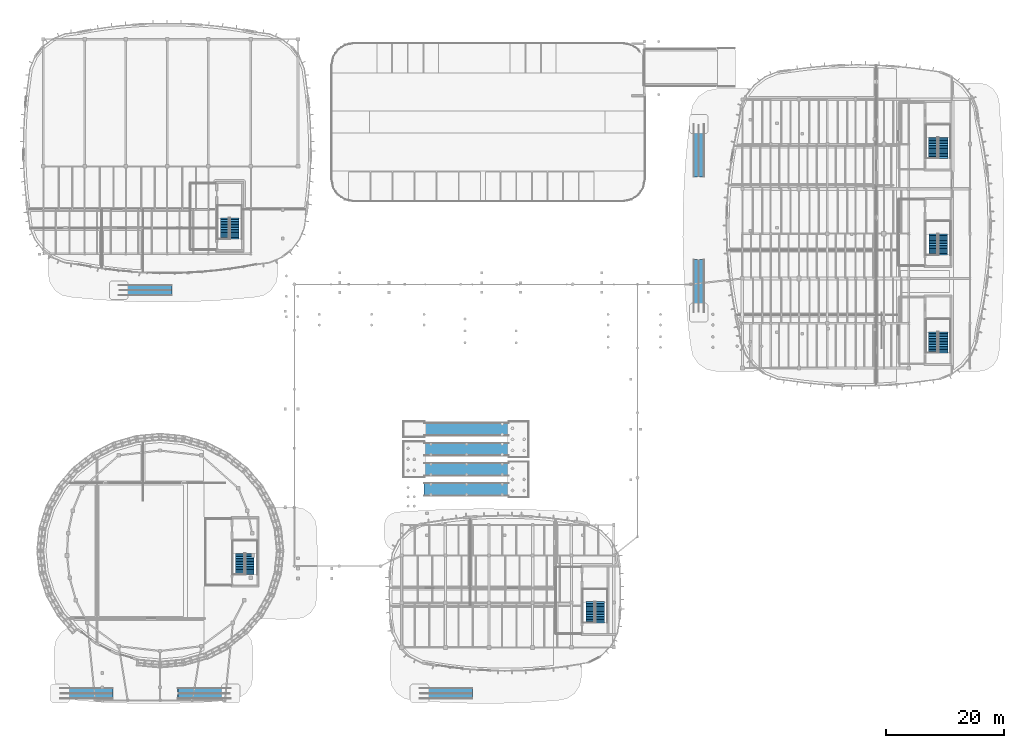
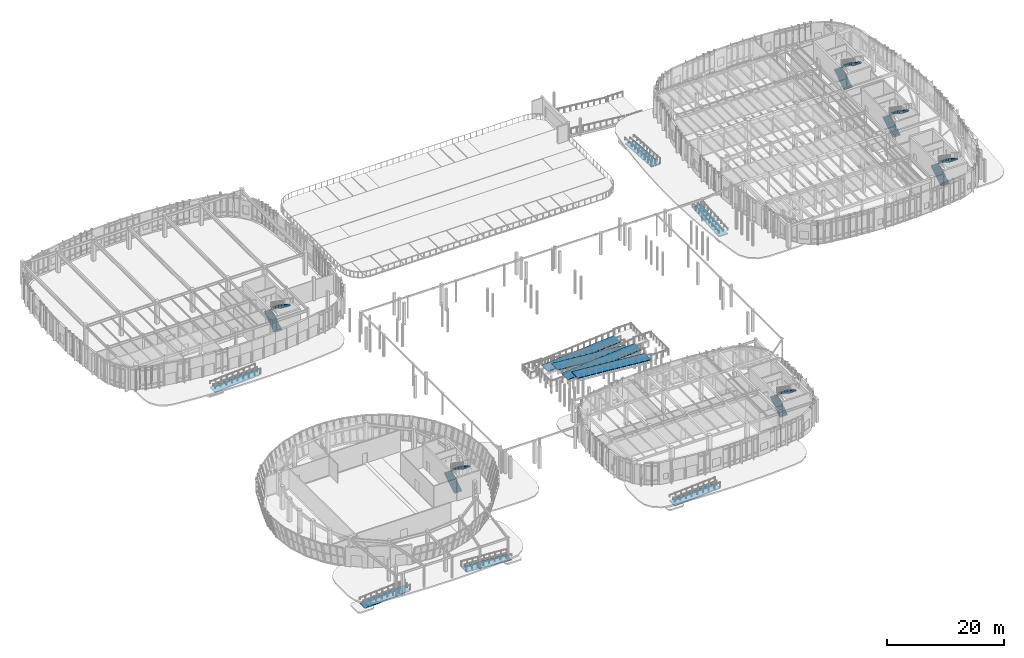
# One storey, part 96 of 120: 12 stair flights, 10 ramp flights, 16 elements without a shape of their own.
"""IFC4 building model written with IfcOpenShell, lengths in metres."""

import ifcopenshell
import ifcopenshell.guid

model = None  # the IFC model being written
_history = None  # IfcOwnerHistory: only IFC2X3 demands one
_inside = {}  # id of a spatial element -> (the spatial element, [elements in it])
_under = {}  # id of a project, library or spatial element -> (it, [spatial elements below it])
_declared = {}  # id of a project -> (the project, [libraries it declares])
_typed = {}  # id of a type object -> (the type object, [elements of that type])
_made_of = {}  # id of a material, layer set ... -> (it, [elements and type objects made of it])


def new_model(schema):
    """Start an empty IFC model of exactly this schema.

    Asked for "IFC4X3", IfcOpenShell would pick the latest addendum, in which some entities
    have other attributes; the version numbers below select the first issue.
    IFC2X3 requires an IfcOwnerHistory on every rooted entity: one is made here for all.
    """
    global model, _history
    if schema == "IFC4X3":
        model = ifcopenshell.file(schema_version=(4, 3, 0, 0))
    else:
        model = ifcopenshell.file(schema=schema)
    _inside.clear()
    _under.clear()
    _declared.clear()
    _typed.clear()
    _made_of.clear()
    _history = None
    if model.schema == "IFC2X3":
        org = make("IfcOrganization", Name="unknown")
        user = make(
            "IfcPersonAndOrganization",
            ThePerson=make("IfcPerson", FamilyName="unknown"),
            TheOrganization=org,
        )
        app = make(
            "IfcApplication",
            ApplicationDeveloper=org,
            Version="unknown",
            ApplicationFullName="unknown",
            ApplicationIdentifier="unknown",
        )
        _history = make(
            "IfcOwnerHistory",
            OwningUser=user,
            OwningApplication=app,
            ChangeAction="ADDED",
            CreationDate=0,
        )
    return model


def make(cls, **values):
    """One entity of the class cls with the attributes given. An attribute that is None is left unset."""
    return model.create_entity(
        cls, **{name: value for name, value in values.items() if value is not None}
    )


def rooted(cls, **values):
    """An entity with a GlobalId (a new one), such as an element, a storey or a relation."""
    return make(cls, GlobalId=ifcopenshell.guid.new(), OwnerHistory=_history, **values)


def si_unit(unit_type, name, prefix=None):
    """IfcSIUnit, for example si_unit("LENGTHUNIT", "METRE", prefix="MILLI")."""
    return make("IfcSIUnit", UnitType=unit_type, Prefix=prefix, Name=name)


def assignment(units):
    """IfcUnitAssignment: the units of a project."""
    return None if units is None else make("IfcUnitAssignment", Units=units)


def point(xyz):
    """IfcCartesianPoint."""
    return None if xyz is None else make("IfcCartesianPoint", Coordinates=xyz)


def direction(xyz):
    """IfcDirection."""
    return None if xyz is None else make("IfcDirection", DirectionRatios=xyz)


def frame(location, z_axis=None, x_axis=None):
    """IfcAxis2Placement3D, a coordinate frame: its origin and axes. An axis left out is left unset."""
    return make(
        "IfcAxis2Placement3D",
        Location=point(location),
        Axis=direction(z_axis),
        RefDirection=direction(x_axis),
    )


def origin():
    """The frame at (0, 0, 0) with its axes left unset."""
    return frame((0.0, 0.0, 0.0))


def place(relative_to, where):
    """IfcLocalPlacement: puts the frame where relative to a parent placement (None: the world)."""
    return make(
        "IfcLocalPlacement", PlacementRelTo=relative_to, RelativePlacement=where
    )


def context(
    kind, dimensions, precision=None, world=None, true_north=None, identifier=None
):
    """IfcGeometricRepresentationContext, for example the 3D "Model" context."""
    return make(
        "IfcGeometricRepresentationContext",
        ContextIdentifier=identifier,
        ContextType=kind,
        CoordinateSpaceDimension=dimensions,
        Precision=precision,
        WorldCoordinateSystem=world,
        TrueNorth=true_north,
    )


def subcontext(parent, identifier, kind, view, scale=None):
    """IfcGeometricRepresentationSubContext, for example "Body" below "Model"."""
    return make(
        "IfcGeometricRepresentationSubContext",
        ContextIdentifier=identifier,
        ContextType=kind,
        ParentContext=parent,
        TargetScale=scale,
        TargetView=view,
    )


def project(units=None, contexts=None):
    """IfcProject with its units and contexts."""
    return rooted(
        "IfcProject",
        Name="project",
        RepresentationContexts=contexts,
        UnitsInContext=assignment(units),
    )


def spatial(cls, under=None, at=None, **own):
    """A site, building, storey or space (cls), placed at a placement, below another one or the project."""
    s = rooted(cls, ObjectPlacement=at, **own)
    if under is not None:
        _under.setdefault(under.id(), (under, []))[1].append(s)
    return s


def polyline(points):
    """IfcPolyline through the points."""
    return make("IfcPolyline", Points=[point(p) for p in points])


def outline(outer, holes=None, kind="AREA"):
    """IfcArbitraryClosedProfileDef: a profile drawn as a closed curve; with holes, ...WithVoids."""
    if holes is None:
        return make("IfcArbitraryClosedProfileDef", ProfileType=kind, OuterCurve=outer)
    return make(
        "IfcArbitraryProfileDefWithVoids",
        ProfileType=kind,
        OuterCurve=outer,
        InnerCurves=holes,
    )


def extrude(swept, where, along, depth):
    """IfcExtrudedAreaSolid: the profile swept, set in the frame where, extruded along a direction by depth."""
    return make(
        "IfcExtrudedAreaSolid",
        SweptArea=swept,
        Position=where,
        ExtrudedDirection=direction(along),
        Depth=depth,
    )


def shape(context_of_items, identifier, shape_type, items):
    """IfcShapeRepresentation: the items that make up one representation, for example the "Body"."""
    return make(
        "IfcShapeRepresentation",
        ContextOfItems=context_of_items,
        RepresentationIdentifier=identifier,
        RepresentationType=shape_type,
        Items=items,
    )


def material(Name=None, Category=None):
    """IfcMaterial."""
    return make("IfcMaterial", Name=Name, Category=Category)


def layer(
    of_material, thickness, ventilated=None, Name=None, Category=None, Priority=None
):
    """IfcMaterialLayer: one layer of a wall or slab, of a material (None: an air gap)."""
    return make(
        "IfcMaterialLayer",
        Material=of_material,
        LayerThickness=thickness,
        IsVentilated=ventilated,
        Name=Name,
        Category=Category,
        Priority=Priority,
    )


def layer_set(layers, Name=None):
    """IfcMaterialLayerSet."""
    return make("IfcMaterialLayerSet", MaterialLayers=layers, LayerSetName=Name)


def made_of(thing, what):
    """Note that an element or type object is made of a material, layer set ...; save() writes the relation."""
    if what is not None:
        _made_of.setdefault(what.id(), (what, []))[1].append(thing)
    return thing


def type_object(cls, material=None, **own):
    """A type object (cls), such as IfcWallType, which elements share."""
    return made_of(rooted(cls, **own), material)


def element(
    cls,
    number,
    at=None,
    inside=None,
    cuts=None,
    type_object=None,
    material=None,
    context=None,
    identifier="Body",
    shape_type=None,
    held_by="IfcProductDefinitionShape",
    body=None,
    shapes=None,
    **own,
):
    """One element of the class cls, such as IfcWall. Its Tag is "e" and its number.

    at: its placement. inside: the storey or other place that contains it. cuts: it is an
    opening in that element (IfcRelVoidsElement). A single representation is given by context,
    identifier, shape_type and body (its items); several are given by shapes. held_by: the class
    of the entity that holds the representations. save() writes the other relations.
    """
    e = rooted(cls, Tag="e%d" % number, ObjectPlacement=at, **own)
    if body is not None:
        shapes = [shape(context, identifier, shape_type, body)]
    if shapes is not None:
        e.Representation = make(held_by, Representations=shapes)
    if inside is not None:
        _inside.setdefault(inside.id(), (inside, []))[1].append(e)
    if cuts is not None:
        rooted(
            "IfcRelVoidsElement", RelatingBuildingElement=cuts, RelatedOpeningElement=e
        )
    if type_object is not None:
        _typed.setdefault(type_object.id(), (type_object, []))[1].append(e)
    return made_of(e, material)


def aggregate(whole, parts):
    """IfcRelAggregates: a whole, such as a stair, and the parts it consists of."""
    return rooted("IfcRelAggregates", RelatingObject=whole, RelatedObjects=parts)


def save(model, path):
    """Write the relations noted so far, then the file.

    IfcRelAggregates (storeys below a building ...), IfcRelContainedInSpatialStructure (elements
    in a storey), IfcRelDefinesByType, IfcRelAssociatesMaterial and IfcRelDeclares: one each for
    every whole, place, type object, material and project.
    """
    for whole, parts in _under.values():
        aggregate(whole, parts)
    for where, things in _inside.values():
        rooted(
            "IfcRelContainedInSpatialStructure",
            RelatedElements=things,
            RelatingStructure=where,
        )
    for kind, things in _typed.values():
        rooted("IfcRelDefinesByType", RelatedObjects=things, RelatingType=kind)
    for what, things in _made_of.values():
        rooted("IfcRelAssociatesMaterial", RelatedObjects=things, RelatingMaterial=what)
    for by, libraries in _declared.values():
        rooted("IfcRelDeclares", RelatingContext=by, RelatedDefinitions=libraries)
    model.write(path)


model = new_model("IFC4")

# Units and contexts
model_context = context("Model", 3, precision=1e-05, world=origin(), true_north=direction((0.0, 1.0)))
body_context = subcontext(model_context, "Body", "Model", "MODEL_VIEW")
ifc_project = project(units=[si_unit("LENGTHUNIT", "METRE"), si_unit("AREAUNIT", "SQUARE_METRE"), si_unit("VOLUMEUNIT", "CUBIC_METRE"), si_unit("PLANEANGLEUNIT", "RADIAN"), si_unit("MASSUNIT", "GRAM", prefix="KILO")], contexts=[model_context])

# Site, building, storey
site_placement = place(None, origin())
site = spatial("IfcSite", under=ifc_project, at=site_placement, CompositionType="ELEMENT")
building_placement = place(site_placement, origin())
building = spatial("IfcBuilding", under=site, at=building_placement, Name="Corveleigh Park Community Centre", CompositionType="ELEMENT")
storey_placement = place(building_placement, origin())
storey = spatial("IfcBuildingStorey", under=building, at=storey_placement, Name="L00", CompositionType="ELEMENT", Elevation=0.0)

# Stair, stair flights
ifc_material = material(Name="Concrete C32/40", Category="concrete")
stair_type_1 = type_object("IfcStairType", Name="STR-HT-1500-480", PredefinedType="USERDEFINED", material=ifc_material)
stair_1_placement = place(storey_placement, origin())
stair_1 = element("IfcStair", 1, at=stair_1_placement, inside=storey, type_object=stair_type_1, Name="Protected escape stair ST3 (L00 to L01)", ObjectType="TWO_RETURN_STAIR", PredefinedType="USERDEFINED")
ifc_layer_1 = layer(ifc_material, 0.175048828125, Name="Concrete C32/40", Category="concrete")
ifc_layer_set_1 = layer_set([ifc_layer_1], Name="Concrete C32/40")
stair_flight_type_1 = type_object("IfcStairFlightType", Name="FLG-RC-1500", PredefinedType="STRAIGHT", material=ifc_layer_set_1)
stair_flight_1_placement = place(storey_placement, frame((41.97998046875, 80.47998046875, 0.0), z_axis=(0.0, 0.0, 1.0), x_axis=(0.0, 1.0, 0.0)))
stair_flight_1 = element("IfcStairFlight", 2, at=stair_flight_1_placement, type_object=stair_flight_type_1, Name="ST3 flight 1", NumberOfRisers=14, NumberOfTreads=13, PredefinedType="STRAIGHT", RiserHeight=0.17143, TreadLength=0.275, context=body_context, shape_type="SweptSolid", body=[
    extrude(outline(polyline([(0.0, 0.0), (0.0, 0.17138671875), (0.27490234375, 0.17138671875), (0.27490234375, 0.3427734375), (0.550048828125, 0.3427734375), (0.550048828125, 0.514404296875), (0.824951171875, 0.514404296875), (0.824951171875, 0.685791015625), (1.10009765625, 0.685791015625), (1.10009765625, 0.857177734375), (1.375, 0.857177734375), (1.375, 1.028564453125), (1.64990234375, 1.028564453125), (1.64990234375, 1.199951171875), (1.925048828125, 1.199951171875), (1.925048828125, 1.371337890625), (2.199951171875, 1.371337890625), (2.199951171875, 1.54296875), (2.47509765625, 1.54296875), (2.47509765625, 1.71435546875), (2.75, 1.71435546875), (2.75, 1.8857421875), (3.02490234375, 1.8857421875), (3.02490234375, 2.05712890625), (3.300048828125, 2.05712890625), (3.300048828125, 2.228515625), (3.574951171875, 2.228515625), (3.574951171875, 2.39990234375), (3.574951171875, 2.022216796875), (0.330810546875, 0.0), (0.0, 0.0)])), frame((0.0, 0.75, 0.0), z_axis=(0.0, -1.0, 0.0), x_axis=(1.0, 0.0, 0.0)), (0.0, 0.0, 1.0), 1.5),
])
stair_flight_2_placement = place(storey_placement, frame((43.6201171875, 84.054931640625, 2.39990234375), z_axis=(0.0, 0.0, 1.0), x_axis=(0.0, -1.0, 0.0)))
stair_flight_2 = element("IfcStairFlight", 3, at=stair_flight_2_placement, type_object=stair_flight_type_1, Name="ST3 flight 2", NumberOfRisers=14, NumberOfTreads=13, PredefinedType="STRAIGHT", RiserHeight=0.17143, TreadLength=0.275, context=body_context, shape_type="SweptSolid", body=[
    extrude(outline(polyline([(0.0, 0.0), (0.0, 0.17138671875), (0.27490234375, 0.17138671875), (0.27490234375, 0.3427734375), (0.550048828125, 0.3427734375), (0.550048828125, 0.514404296875), (0.824951171875, 0.514404296875), (0.824951171875, 0.685791015625), (1.10009765625, 0.685791015625), (1.10009765625, 0.857177734375), (1.375, 0.857177734375), (1.375, 1.028564453125), (1.64990234375, 1.028564453125), (1.64990234375, 1.199951171875), (1.925048828125, 1.199951171875), (1.925048828125, 1.371337890625), (2.199951171875, 1.371337890625), (2.199951171875, 1.54296875), (2.47509765625, 1.54296875), (2.47509765625, 1.71435546875), (2.75, 1.71435546875), (2.75, 1.8857421875), (3.02490234375, 1.8857421875), (3.02490234375, 2.05712890625), (3.300048828125, 2.05712890625), (3.300048828125, 2.228515625), (3.574951171875, 2.228515625), (3.574951171875, 2.39990234375), (3.574951171875, 2.022216796875), (0.330810546875, 0.0), (0.0, 0.0)])), frame((0.0, 0.75, 0.0), z_axis=(0.0, -1.0, 0.0), x_axis=(1.0, 0.0, 0.0)), (0.0, 0.0, 1.0), 1.5),
])
aggregate(stair_1, [stair_flight_1, stair_flight_2])

stair_2_placement = place(storey_placement, origin())
stair_2 = element("IfcStair", 4, at=stair_2_placement, inside=storey, type_object=stair_type_1, Name="Protected escape stair ST4 (L00 to L01)", ObjectType="TWO_RETURN_STAIR", PredefinedType="USERDEFINED")
stair_flight_3_placement = place(storey_placement, frame((103.97998046875, 15.3798828125, 0.0), z_axis=(0.0, 0.0, 1.0), x_axis=(0.0, 1.0, 0.0)))
stair_flight_3 = element("IfcStairFlight", 5, at=stair_flight_3_placement, type_object=stair_flight_type_1, Name="ST4 flight 1", NumberOfRisers=14, NumberOfTreads=13, PredefinedType="STRAIGHT", RiserHeight=0.17143, TreadLength=0.275, context=body_context, shape_type="SweptSolid", body=[
    extrude(outline(polyline([(0.0, 0.0), (0.0, 0.17138671875), (0.27490234375, 0.17138671875), (0.27490234375, 0.3427734375), (0.550048828125, 0.3427734375), (0.550048828125, 0.514404296875), (0.824951171875, 0.514404296875), (0.824951171875, 0.685791015625), (1.10009765625, 0.685791015625), (1.10009765625, 0.857177734375), (1.375, 0.857177734375), (1.375, 1.028564453125), (1.64990234375, 1.028564453125), (1.64990234375, 1.199951171875), (1.925048828125, 1.199951171875), (1.925048828125, 1.371337890625), (2.199951171875, 1.371337890625), (2.199951171875, 1.54296875), (2.47509765625, 1.54296875), (2.47509765625, 1.71435546875), (2.75, 1.71435546875), (2.75, 1.8857421875), (3.02490234375, 1.8857421875), (3.02490234375, 2.05712890625), (3.300048828125, 2.05712890625), (3.300048828125, 2.228515625), (3.574951171875, 2.228515625), (3.574951171875, 2.39990234375), (3.574951171875, 2.022216796875), (0.330810546875, 0.0), (0.0, 0.0)])), frame((0.0, 0.75, 0.0), z_axis=(0.0, -1.0, 0.0), x_axis=(1.0, 0.0, 0.0)), (0.0, 0.0, 1.0), 1.5),
])
stair_flight_4_placement = place(storey_placement, frame((105.6201171875, 18.955078125, 2.39990234375), z_axis=(0.0, 0.0, 1.0), x_axis=(0.0, -1.0, 0.0)))
stair_flight_4 = element("IfcStairFlight", 6, at=stair_flight_4_placement, type_object=stair_flight_type_1, Name="ST4 flight 2", NumberOfRisers=14, NumberOfTreads=13, PredefinedType="STRAIGHT", RiserHeight=0.17143, TreadLength=0.275, context=body_context, shape_type="SweptSolid", body=[
    extrude(outline(polyline([(0.0, 0.0), (0.0, 0.17138671875), (0.27490234375, 0.17138671875), (0.27490234375, 0.3427734375), (0.550048828125, 0.3427734375), (0.550048828125, 0.514404296875), (0.824951171875, 0.514404296875), (0.824951171875, 0.685791015625), (1.10009765625, 0.685791015625), (1.10009765625, 0.857177734375), (1.375, 0.857177734375), (1.375, 1.028564453125), (1.64990234375, 1.028564453125), (1.64990234375, 1.199951171875), (1.925048828125, 1.199951171875), (1.925048828125, 1.371337890625), (2.199951171875, 1.371337890625), (2.199951171875, 1.54296875), (2.47509765625, 1.54296875), (2.47509765625, 1.71435546875), (2.75, 1.71435546875), (2.75, 1.8857421875), (3.02490234375, 1.8857421875), (3.02490234375, 2.05712890625), (3.300048828125, 2.05712890625), (3.300048828125, 2.228515625), (3.574951171875, 2.228515625), (3.574951171875, 2.39990234375), (3.574951171875, 2.022216796875), (0.330810546875, 0.0), (0.0, 0.0)])), frame((0.0, 0.75, 0.0), z_axis=(0.0, -1.0, 0.0), x_axis=(1.0, 0.0, 0.0)), (0.0, 0.0, 1.0), 1.5),
])
aggregate(stair_2, [stair_flight_3, stair_flight_4])

stair_3_placement = place(storey_placement, origin())
stair_3 = element("IfcStair", 7, at=stair_3_placement, inside=storey, type_object=stair_type_1, Name="Protected escape stair ST5 (L00 to L01)", ObjectType="TWO_RETURN_STAIR", PredefinedType="USERDEFINED")
stair_flight_5_placement = place(storey_placement, frame((44.580078125, 23.580078125, 0.0), z_axis=(0.0, 0.0, 1.0), x_axis=(0.0, 1.0, 0.0)))
stair_flight_5 = element("IfcStairFlight", 8, at=stair_flight_5_placement, type_object=stair_flight_type_1, Name="ST5 flight 1", NumberOfRisers=14, NumberOfTreads=13, PredefinedType="STRAIGHT", RiserHeight=0.17143, TreadLength=0.275, context=body_context, shape_type="SweptSolid", body=[
    extrude(outline(polyline([(0.0, 0.0), (0.0, 0.17138671875), (0.27490234375, 0.17138671875), (0.27490234375, 0.3427734375), (0.550048828125, 0.3427734375), (0.550048828125, 0.514404296875), (0.824951171875, 0.514404296875), (0.824951171875, 0.685791015625), (1.10009765625, 0.685791015625), (1.10009765625, 0.857177734375), (1.375, 0.857177734375), (1.375, 1.028564453125), (1.64990234375, 1.028564453125), (1.64990234375, 1.199951171875), (1.925048828125, 1.199951171875), (1.925048828125, 1.371337890625), (2.199951171875, 1.371337890625), (2.199951171875, 1.54296875), (2.47509765625, 1.54296875), (2.47509765625, 1.71435546875), (2.75, 1.71435546875), (2.75, 1.8857421875), (3.02490234375, 1.8857421875), (3.02490234375, 2.05712890625), (3.300048828125, 2.05712890625), (3.300048828125, 2.228515625), (3.574951171875, 2.228515625), (3.574951171875, 2.39990234375), (3.574951171875, 2.022216796875), (0.330810546875, 0.0), (0.0, 0.0)])), frame((0.0, 0.75, 0.0), z_axis=(0.0, -1.0, 0.0), x_axis=(1.0, 0.0, 0.0)), (0.0, 0.0, 1.0), 1.5),
])
stair_flight_6_placement = place(storey_placement, frame((46.219970703125, 27.155029296875, 2.39990234375), z_axis=(0.0, 0.0, 1.0), x_axis=(0.0, -1.0, 0.0)))
stair_flight_6 = element("IfcStairFlight", 9, at=stair_flight_6_placement, type_object=stair_flight_type_1, Name="ST5 flight 2", NumberOfRisers=14, NumberOfTreads=13, PredefinedType="STRAIGHT", RiserHeight=0.17143, TreadLength=0.275, context=body_context, shape_type="SweptSolid", body=[
    extrude(outline(polyline([(0.0, 0.0), (0.0, 0.17138671875), (0.27490234375, 0.17138671875), (0.27490234375, 0.3427734375), (0.550048828125, 0.3427734375), (0.550048828125, 0.514404296875), (0.824951171875, 0.514404296875), (0.824951171875, 0.685791015625), (1.10009765625, 0.685791015625), (1.10009765625, 0.857177734375), (1.375, 0.857177734375), (1.375, 1.028564453125), (1.64990234375, 1.028564453125), (1.64990234375, 1.199951171875), (1.925048828125, 1.199951171875), (1.925048828125, 1.371337890625), (2.199951171875, 1.371337890625), (2.199951171875, 1.54296875), (2.47509765625, 1.54296875), (2.47509765625, 1.71435546875), (2.75, 1.71435546875), (2.75, 1.8857421875), (3.02490234375, 1.8857421875), (3.02490234375, 2.05712890625), (3.300048828125, 2.05712890625), (3.300048828125, 2.228515625), (3.574951171875, 2.228515625), (3.574951171875, 2.39990234375), (3.574951171875, 2.022216796875), (0.330810546875, 0.0), (0.0, 0.0)])), frame((0.0, 0.75, 0.0), z_axis=(0.0, -1.0, 0.0), x_axis=(1.0, 0.0, 0.0)), (0.0, 0.0, 1.0), 1.5),
])
aggregate(stair_3, [stair_flight_5, stair_flight_6])

stair_4_placement = place(storey_placement, origin())
stair_4 = element("IfcStair", 10, at=stair_4_placement, inside=storey, type_object=stair_type_1, Name="Protected escape stair ST6 (L00 to L01)", ObjectType="TWO_RETURN_STAIR", PredefinedType="USERDEFINED")
stair_flight_7_placement = place(storey_placement, frame((162.179931640625, 77.780029296875, 0.0), z_axis=(0.0, 0.0, 1.0), x_axis=(0.0, 1.0, 0.0)))
stair_flight_7 = element("IfcStairFlight", 11, at=stair_flight_7_placement, type_object=stair_flight_type_1, Name="ST6 flight 1", NumberOfRisers=14, NumberOfTreads=13, PredefinedType="STRAIGHT", RiserHeight=0.17143, TreadLength=0.275, context=body_context, shape_type="SweptSolid", body=[
    extrude(outline(polyline([(0.0, 0.0), (0.0, 0.17138671875), (0.27490234375, 0.17138671875), (0.27490234375, 0.3427734375), (0.550048828125, 0.3427734375), (0.550048828125, 0.514404296875), (0.824951171875, 0.514404296875), (0.824951171875, 0.685791015625), (1.10009765625, 0.685791015625), (1.10009765625, 0.857177734375), (1.375, 0.857177734375), (1.375, 1.028564453125), (1.64990234375, 1.028564453125), (1.64990234375, 1.199951171875), (1.925048828125, 1.199951171875), (1.925048828125, 1.371337890625), (2.199951171875, 1.371337890625), (2.199951171875, 1.54296875), (2.47509765625, 1.54296875), (2.47509765625, 1.71435546875), (2.75, 1.71435546875), (2.75, 1.8857421875), (3.02490234375, 1.8857421875), (3.02490234375, 2.05712890625), (3.300048828125, 2.05712890625), (3.300048828125, 2.228515625), (3.574951171875, 2.228515625), (3.574951171875, 2.39990234375), (3.574951171875, 2.022216796875), (0.330810546875, 0.0), (0.0, 0.0)])), frame((0.0, 0.75, 0.0), z_axis=(0.0, -1.0, 0.0), x_axis=(1.0, 0.0, 0.0)), (0.0, 0.0, 1.0), 1.5),
])
stair_flight_8_placement = place(storey_placement, frame((163.820068359375, 81.35498046875, 2.39990234375), z_axis=(0.0, 0.0, 1.0), x_axis=(0.0, -1.0, 0.0)))
stair_flight_8 = element("IfcStairFlight", 12, at=stair_flight_8_placement, type_object=stair_flight_type_1, Name="ST6 flight 2", NumberOfRisers=14, NumberOfTreads=13, PredefinedType="STRAIGHT", RiserHeight=0.17143, TreadLength=0.275, context=body_context, shape_type="SweptSolid", body=[
    extrude(outline(polyline([(0.0, 0.0), (0.0, 0.17138671875), (0.27490234375, 0.17138671875), (0.27490234375, 0.3427734375), (0.550048828125, 0.3427734375), (0.550048828125, 0.514404296875), (0.824951171875, 0.514404296875), (0.824951171875, 0.685791015625), (1.10009765625, 0.685791015625), (1.10009765625, 0.857177734375), (1.375, 0.857177734375), (1.375, 1.028564453125), (1.64990234375, 1.028564453125), (1.64990234375, 1.199951171875), (1.925048828125, 1.199951171875), (1.925048828125, 1.371337890625), (2.199951171875, 1.371337890625), (2.199951171875, 1.54296875), (2.47509765625, 1.54296875), (2.47509765625, 1.71435546875), (2.75, 1.71435546875), (2.75, 1.8857421875), (3.02490234375, 1.8857421875), (3.02490234375, 2.05712890625), (3.300048828125, 2.05712890625), (3.300048828125, 2.228515625), (3.574951171875, 2.228515625), (3.574951171875, 2.39990234375), (3.574951171875, 2.022216796875), (0.330810546875, 0.0), (0.0, 0.0)])), frame((0.0, 0.75, 0.0), z_axis=(0.0, -1.0, 0.0), x_axis=(1.0, 0.0, 0.0)), (0.0, 0.0, 1.0), 1.5),
])
aggregate(stair_4, [stair_flight_7, stair_flight_8])

stair_type_2 = type_object("IfcStairType", Name="STR-HT-1600-480", PredefinedType="USERDEFINED", material=ifc_material)
stair_5_placement = place(storey_placement, origin())
stair_5 = element("IfcStair", 13, at=stair_5_placement, inside=storey, type_object=stair_type_2, Name="Protected escape stair ST1 (L00 to L01)", ObjectType="TWO_RETURN_STAIR", PredefinedType="USERDEFINED")
ifc_layer_2 = layer(ifc_material, 0.179931640625, Name="Concrete C32/40", Category="concrete")
ifc_layer_set_2 = layer_set([ifc_layer_2], Name="Concrete C32/40")
stair_flight_type_2 = type_object("IfcStairFlightType", Name="FLG-RC-1600", PredefinedType="STRAIGHT", material=ifc_layer_set_2)
stair_flight_9_placement = place(storey_placement, frame((162.1298828125, 61.179931640625, 0.0), z_axis=(0.0, 0.0, 1.0), x_axis=(0.0, 1.0, 0.0)))
stair_flight_9 = element("IfcStairFlight", 14, at=stair_flight_9_placement, type_object=stair_flight_type_2, Name="ST1 flight 1", NumberOfRisers=14, NumberOfTreads=13, PredefinedType="STRAIGHT", RiserHeight=0.17143, TreadLength=0.275, context=body_context, shape_type="SweptSolid", body=[
    extrude(outline(polyline([(0.0, 0.0), (0.0, 0.17138671875), (0.27490234375, 0.17138671875), (0.27490234375, 0.3427734375), (0.550048828125, 0.3427734375), (0.550048828125, 0.514404296875), (0.824951171875, 0.514404296875), (0.824951171875, 0.685791015625), (1.10009765625, 0.685791015625), (1.10009765625, 0.857177734375), (1.375, 0.857177734375), (1.375, 1.028564453125), (1.64990234375, 1.028564453125), (1.64990234375, 1.199951171875), (1.925048828125, 1.199951171875), (1.925048828125, 1.371337890625), (2.199951171875, 1.371337890625), (2.199951171875, 1.54296875), (2.47509765625, 1.54296875), (2.47509765625, 1.71435546875), (2.75, 1.71435546875), (2.75, 1.8857421875), (3.02490234375, 1.8857421875), (3.02490234375, 2.05712890625), (3.300048828125, 2.05712890625), (3.300048828125, 2.228515625), (3.574951171875, 2.228515625), (3.574951171875, 2.39990234375), (3.574951171875, 2.0166015625), (0.340087890625, 0.0), (0.0, 0.0)])), frame((0.0, 0.800048828125, 0.0), z_axis=(0.0, -1.0, 0.0), x_axis=(1.0, 0.0, 0.0)), (0.0, 0.0, 1.0), 1.60009765625),
])
stair_flight_10_placement = place(storey_placement, frame((163.8701171875, 64.7548828125, 2.39990234375), z_axis=(0.0, 0.0, 1.0), x_axis=(0.0, -1.0, 0.0)))
stair_flight_10 = element("IfcStairFlight", 15, at=stair_flight_10_placement, type_object=stair_flight_type_2, Name="ST1 flight 2", NumberOfRisers=14, NumberOfTreads=13, PredefinedType="STRAIGHT", RiserHeight=0.17143, TreadLength=0.275, context=body_context, shape_type="SweptSolid", body=[
    extrude(outline(polyline([(0.0, 0.0), (0.0, 0.17138671875), (0.27490234375, 0.17138671875), (0.27490234375, 0.3427734375), (0.550048828125, 0.3427734375), (0.550048828125, 0.514404296875), (0.824951171875, 0.514404296875), (0.824951171875, 0.685791015625), (1.10009765625, 0.685791015625), (1.10009765625, 0.857177734375), (1.375, 0.857177734375), (1.375, 1.028564453125), (1.64990234375, 1.028564453125), (1.64990234375, 1.199951171875), (1.925048828125, 1.199951171875), (1.925048828125, 1.371337890625), (2.199951171875, 1.371337890625), (2.199951171875, 1.54296875), (2.47509765625, 1.54296875), (2.47509765625, 1.71435546875), (2.75, 1.71435546875), (2.75, 1.8857421875), (3.02490234375, 1.8857421875), (3.02490234375, 2.05712890625), (3.300048828125, 2.05712890625), (3.300048828125, 2.228515625), (3.574951171875, 2.228515625), (3.574951171875, 2.39990234375), (3.574951171875, 2.0166015625), (0.340087890625, 0.0), (0.0, 0.0)])), frame((0.0, 0.800048828125, 0.0), z_axis=(0.0, -1.0, 0.0), x_axis=(1.0, 0.0, 0.0)), (0.0, 0.0, 1.0), 1.60009765625),
])
aggregate(stair_5, [stair_flight_9, stair_flight_10])

stair_6_placement = place(storey_placement, origin())
stair_6 = element("IfcStair", 16, at=stair_6_placement, inside=storey, type_object=stair_type_2, Name="Protected escape stair ST2 (L00 to L01)", ObjectType="TWO_RETURN_STAIR", PredefinedType="USERDEFINED")
stair_flight_11_placement = place(storey_placement, frame((162.1298828125, 94.179931640625, 0.0), z_axis=(0.0, 0.0, 1.0), x_axis=(0.0, 1.0, 0.0)))
stair_flight_11 = element("IfcStairFlight", 17, at=stair_flight_11_placement, type_object=stair_flight_type_2, Name="ST2 flight 1", NumberOfRisers=14, NumberOfTreads=13, PredefinedType="STRAIGHT", RiserHeight=0.17143, TreadLength=0.275, context=body_context, shape_type="SweptSolid", body=[
    extrude(outline(polyline([(0.0, 0.0), (0.0, 0.17138671875), (0.27490234375, 0.17138671875), (0.27490234375, 0.3427734375), (0.550048828125, 0.3427734375), (0.550048828125, 0.514404296875), (0.824951171875, 0.514404296875), (0.824951171875, 0.685791015625), (1.10009765625, 0.685791015625), (1.10009765625, 0.857177734375), (1.375, 0.857177734375), (1.375, 1.028564453125), (1.64990234375, 1.028564453125), (1.64990234375, 1.199951171875), (1.925048828125, 1.199951171875), (1.925048828125, 1.371337890625), (2.199951171875, 1.371337890625), (2.199951171875, 1.54296875), (2.47509765625, 1.54296875), (2.47509765625, 1.71435546875), (2.75, 1.71435546875), (2.75, 1.8857421875), (3.02490234375, 1.8857421875), (3.02490234375, 2.05712890625), (3.300048828125, 2.05712890625), (3.300048828125, 2.228515625), (3.574951171875, 2.228515625), (3.574951171875, 2.39990234375), (3.574951171875, 2.0166015625), (0.340087890625, 0.0), (0.0, 0.0)])), frame((0.0, 0.800048828125, 0.0), z_axis=(0.0, -1.0, 0.0), x_axis=(1.0, 0.0, 0.0)), (0.0, 0.0, 1.0), 1.60009765625),
])
stair_flight_12_placement = place(storey_placement, frame((163.8701171875, 97.7548828125, 2.39990234375), z_axis=(0.0, 0.0, 1.0), x_axis=(0.0, -1.0, 0.0)))
stair_flight_12 = element("IfcStairFlight", 18, at=stair_flight_12_placement, type_object=stair_flight_type_2, Name="ST2 flight 2", NumberOfRisers=14, NumberOfTreads=13, PredefinedType="STRAIGHT", RiserHeight=0.17143, TreadLength=0.275, context=body_context, shape_type="SweptSolid", body=[
    extrude(outline(polyline([(0.0, 0.0), (0.0, 0.17138671875), (0.27490234375, 0.17138671875), (0.27490234375, 0.3427734375), (0.550048828125, 0.3427734375), (0.550048828125, 0.514404296875), (0.824951171875, 0.514404296875), (0.824951171875, 0.685791015625), (1.10009765625, 0.685791015625), (1.10009765625, 0.857177734375), (1.375, 0.857177734375), (1.375, 1.028564453125), (1.64990234375, 1.028564453125), (1.64990234375, 1.199951171875), (1.925048828125, 1.199951171875), (1.925048828125, 1.371337890625), (2.199951171875, 1.371337890625), (2.199951171875, 1.54296875), (2.47509765625, 1.54296875), (2.47509765625, 1.71435546875), (2.75, 1.71435546875), (2.75, 1.8857421875), (3.02490234375, 1.8857421875), (3.02490234375, 2.05712890625), (3.300048828125, 2.05712890625), (3.300048828125, 2.228515625), (3.574951171875, 2.228515625), (3.574951171875, 2.39990234375), (3.574951171875, 2.0166015625), (0.340087890625, 0.0), (0.0, 0.0)])), frame((0.0, 0.800048828125, 0.0), z_axis=(0.0, -1.0, 0.0), x_axis=(1.0, 0.0, 0.0)), (0.0, 0.0, 1.0), 1.60009765625),
])
aggregate(stair_6, [stair_flight_11, stair_flight_12])

# Ramp, ramp flight
ramp_type_1 = type_object("IfcRampType", Name="RMP-EXT-1800", PredefinedType="STRAIGHT_RUN_RAMP", material=ifc_material)
ramp_1_placement = place(storey_placement, origin())
ramp_1 = element("IfcRamp", 19, at=ramp_1_placement, inside=storey, type_object=ramp_type_1, Name="Accessible 1:15 ramp RM1", PredefinedType="STRAIGHT_RUN_RAMP")
ifc_layer_3 = layer(ifc_material, 0.199951171875, Name="Concrete C32/40", Category="concrete")
ifc_layer_set_3 = layer_set([ifc_layer_3], Name="Concrete C32/40")
ramp_flight_type_1 = type_object("IfcRampFlightType", Name="RMF-EXT-200", PredefinedType="STRAIGHT", material=ifc_layer_set_3)
ramp_flight_1_placement = place(storey_placement, frame((14.0, 2.5, -0.60009765625), z_axis=(-0.066529789268, 0.0, 0.997784439215), x_axis=(0.997784439215, 0.0, 0.066529789268)))
ramp_flight_1 = element("IfcRampFlight", 20, at=ramp_flight_1_placement, type_object=ramp_flight_type_1, Name="Ramp RM1 flight", PredefinedType="STRAIGHT", context=body_context, shape_type="SweptSolid", body=[
    extrude(outline(polyline([(0.0, 0.0), (9.019984323547172, 0.0), (9.019984323547172, 1.800048828125), (0.0, 1.800048828125), (0.0, 0.0)])), origin(), (0.0, 0.0, -1.0), 0.199951171875),
])
aggregate(ramp_1, [ramp_flight_1])

ramp_2_placement = place(storey_placement, origin())
ramp_2 = element("IfcRamp", 21, at=ramp_2_placement, inside=storey, type_object=ramp_type_1, Name="Accessible 1:15 ramp RM2", PredefinedType="STRAIGHT_RUN_RAMP")
ramp_flight_2_placement = place(storey_placement, frame((43.0, 4.300048828125, -0.60009765625), z_axis=(0.066529789268, 0.0, 0.997784439215), x_axis=(-0.997784439215, 0.0, 0.066529789268)))
ramp_flight_2 = element("IfcRampFlight", 22, at=ramp_flight_2_placement, type_object=ramp_flight_type_1, Name="Ramp RM2 flight", PredefinedType="STRAIGHT", context=body_context, shape_type="SweptSolid", body=[
    extrude(outline(polyline([(0.0, 0.0), (9.019984323547172, 0.0), (9.019984323547172, 1.800048828125), (0.0, 1.800048828125), (0.0, 0.0)])), origin(), (0.0, 0.0, -1.0), 0.199951171875),
])
aggregate(ramp_2, [ramp_flight_2])

ramp_3_placement = place(storey_placement, origin())
ramp_3 = element("IfcRamp", 23, at=ramp_3_placement, inside=storey, type_object=ramp_type_1, Name="Accessible 1:15 ramp RM3", PredefinedType="STRAIGHT_RUN_RAMP")
ramp_flight_3_placement = place(storey_placement, frame((75.0, 2.5, -0.60009765625), z_axis=(-0.066529789268, 0.0, 0.997784439215), x_axis=(0.997784439215, 0.0, 0.066529789268)))
ramp_flight_3 = element("IfcRampFlight", 24, at=ramp_flight_3_placement, type_object=ramp_flight_type_1, Name="Ramp RM3 flight", PredefinedType="STRAIGHT", context=body_context, shape_type="SweptSolid", body=[
    extrude(outline(polyline([(0.0, 0.0), (9.019984323547172, 0.0), (9.019984323547172, 1.800048828125), (0.0, 1.800048828125), (0.0, 0.0)])), origin(), (0.0, 0.0, -1.0), 0.199951171875),
])
aggregate(ramp_3, [ramp_flight_3])

ramp_4_placement = place(storey_placement, origin())
ramp_4 = element("IfcRamp", 25, at=ramp_4_placement, inside=storey, type_object=ramp_type_1, Name="Accessible 1:15 ramp RM4", PredefinedType="STRAIGHT_RUN_RAMP")
ramp_flight_4_placement = place(storey_placement, frame((123.300048828125, 68.0, -0.60009765625), z_axis=(0.0, -0.066529789268, 0.997784439215), x_axis=(0.0, 0.997784439215, 0.066529789268)))
ramp_flight_4 = element("IfcRampFlight", 26, at=ramp_flight_4_placement, type_object=ramp_flight_type_1, Name="Ramp RM4 flight", PredefinedType="STRAIGHT", context=body_context, shape_type="SweptSolid", body=[
    extrude(outline(polyline([(0.0, 0.0), (9.019984323547172, 0.0), (9.019984323547172, 1.800048828125), (0.0, 1.800048828125), (0.0, 0.0)])), origin(), (0.0, 0.0, -1.0), 0.199951171875),
])
aggregate(ramp_4, [ramp_flight_4])

ramp_5_placement = place(storey_placement, origin())
ramp_5 = element("IfcRamp", 27, at=ramp_5_placement, inside=storey, type_object=ramp_type_1, Name="Accessible 1:15 ramp RM5", PredefinedType="STRAIGHT_RUN_RAMP")
ramp_flight_5_placement = place(storey_placement, frame((121.5, 100.0, -0.60009765625), z_axis=(0.0, 0.066529789268, 0.997784439215), x_axis=(0.0, -0.997784439215, 0.066529789268)))
ramp_flight_5 = element("IfcRampFlight", 28, at=ramp_flight_5_placement, type_object=ramp_flight_type_1, Name="Ramp RM5 flight", PredefinedType="STRAIGHT", context=body_context, shape_type="SweptSolid", body=[
    extrude(outline(polyline([(0.0, 0.0), (9.019984323547172, 0.0), (9.019984323547172, 1.800048828125), (0.0, 1.800048828125), (0.0, 0.0)])), origin(), (0.0, 0.0, -1.0), 0.199951171875),
])
aggregate(ramp_5, [ramp_flight_5])

ramp_6_placement = place(storey_placement, origin())
ramp_6 = element("IfcRamp", 29, at=ramp_6_placement, inside=storey, type_object=ramp_type_1, Name="Accessible 1:15 ramp RM6", PredefinedType="STRAIGHT_RUN_RAMP")
ramp_flight_6_placement = place(storey_placement, frame((24.0, 70.89990234375, -0.60009765625), z_axis=(-0.066529789268, 0.0, 0.997784439215), x_axis=(0.997784439215, 0.0, 0.066529789268)))
ramp_flight_6 = element("IfcRampFlight", 30, at=ramp_flight_6_placement, type_object=ramp_flight_type_1, Name="Ramp RM6 flight", PredefinedType="STRAIGHT", context=body_context, shape_type="SweptSolid", body=[
    extrude(outline(polyline([(0.0, 0.0), (9.019984323547172, 0.0), (9.019984323547172, 1.800048828125), (0.0, 1.800048828125), (0.0, 0.0)])), origin(), (0.0, 0.0, -1.0), 0.199951171875),
])
aggregate(ramp_6, [ramp_flight_6])

ramp_type_2 = type_object("IfcRampType", Name="RMP-PRM-2200", PredefinedType="STRAIGHT_RUN_RAMP", material=ifc_material)
ramp_7_placement = place(storey_placement, origin())
ramp_7 = element("IfcRamp", 31, at=ramp_7_placement, inside=storey, type_object=ramp_type_2, Name="Courtyard Terrace 1:12 Promenade Ramp RM7", PredefinedType="STRAIGHT_RUN_RAMP")
ifc_layer_4 = layer(ifc_material, 0.179931640625, Name="Concrete C32/40", Category="concrete")
ifc_layer_set_4 = layer_set([ifc_layer_4], Name="Concrete C32/40")
ramp_flight_type_2 = type_object("IfcRampFlightType", Name="RMF-PRM-180", PredefinedType="STRAIGHT", material=ifc_layer_set_4)
ramp_flight_7_placement = place(storey_placement, frame((75.800048828125, 47.10009765625, 0.0), z_axis=(-0.083042683313, 0.0, 0.996545991286), x_axis=(0.996545991286, 0.0, 0.083042683313)))
ramp_flight_7 = element("IfcRampFlight", 32, at=ramp_flight_7_placement, type_object=ramp_flight_type_2, Name="Ramp RM7 flight", PredefinedType="STRAIGHT", context=body_context, shape_type="SweptSolid", body=[
    extrude(outline(polyline([(0.0, 0.0), (14.449812120730877, 0.0), (14.449812120730877, 2.199951171875), (0.0, 2.199951171875), (0.0, 0.0)])), origin(), (0.0, 0.0, -1.0), 0.179931640625),
])
aggregate(ramp_7, [ramp_flight_7])

ramp_8_placement = place(storey_placement, origin())
ramp_8 = element("IfcRamp", 33, at=ramp_8_placement, inside=storey, type_object=ramp_type_2, Name="Courtyard Terrace 1:12 Promenade Ramp RM8", PredefinedType="STRAIGHT_RUN_RAMP")
ramp_flight_8_placement = place(storey_placement, frame((90.199951171875, 45.89990234375, 1.199951171875), z_axis=(0.083042683313, 0.0, 0.996545991286), x_axis=(-0.996545991286, 0.0, 0.083042683313)))
ramp_flight_8 = element("IfcRampFlight", 34, at=ramp_flight_8_placement, type_object=ramp_flight_type_2, Name="Ramp RM8 flight", PredefinedType="STRAIGHT", context=body_context, shape_type="SweptSolid", body=[
    extrude(outline(polyline([(0.0, 0.0), (14.449812120730877, 0.0), (14.449812120730877, 2.199951171875), (0.0, 2.199951171875), (0.0, 0.0)])), origin(), (0.0, 0.0, -1.0), 0.179931640625),
])
aggregate(ramp_8, [ramp_flight_8])

ramp_9_placement = place(storey_placement, origin())
ramp_9 = element("IfcRamp", 35, at=ramp_9_placement, inside=storey, type_object=ramp_type_2, Name="Courtyard Terrace 1:12 Promenade Ramp RM9", PredefinedType="STRAIGHT_RUN_RAMP")
ramp_flight_9_placement = place(storey_placement, frame((75.800048828125, 40.300048828125, 2.39990234375), z_axis=(-0.083059462528, 0.0, 0.996544592923), x_axis=(0.996544592923, 0.0, 0.083059462528)))
ramp_flight_9 = element("IfcRampFlight", 36, at=ramp_flight_9_placement, type_object=ramp_flight_type_2, Name="Ramp RM9 flight", PredefinedType="STRAIGHT", context=body_context, shape_type="SweptSolid", body=[
    extrude(outline(polyline([(0.0, 0.0), (14.449832396871727, 0.0), (14.449832396871727, 2.199951171875), (0.0, 2.199951171875), (0.0, 0.0)])), origin(), (0.0, 0.0, -1.0), 0.179931640625),
])
aggregate(ramp_9, [ramp_flight_9])

ramp_10_placement = place(storey_placement, origin())
ramp_10 = element("IfcRamp", 37, at=ramp_10_placement, inside=storey, type_object=ramp_type_2, Name="Courtyard Terrace 1:12 Promenade Ramp RM10", PredefinedType="STRAIGHT_RUN_RAMP")
ramp_flight_10_placement = place(storey_placement, frame((90.199951171875, 39.10009765625, 3.60009765625), z_axis=(0.083042683313, 0.0, 0.996545991286), x_axis=(-0.996545991286, 0.0, 0.083042683313)))
ramp_flight_10 = element("IfcRampFlight", 38, at=ramp_flight_10_placement, type_object=ramp_flight_type_2, Name="Ramp RM10 flight", PredefinedType="STRAIGHT", context=body_context, shape_type="SweptSolid", body=[
    extrude(outline(polyline([(0.0, 0.0), (14.449812120730877, 0.0), (14.449812120730877, 2.2001953125), (0.0, 2.2001953125), (0.0, 0.0)])), origin(), (0.0, 0.0, -1.0), 0.179931640625),
])
aggregate(ramp_10, [ramp_flight_10])

save(model, "model.ifc")
